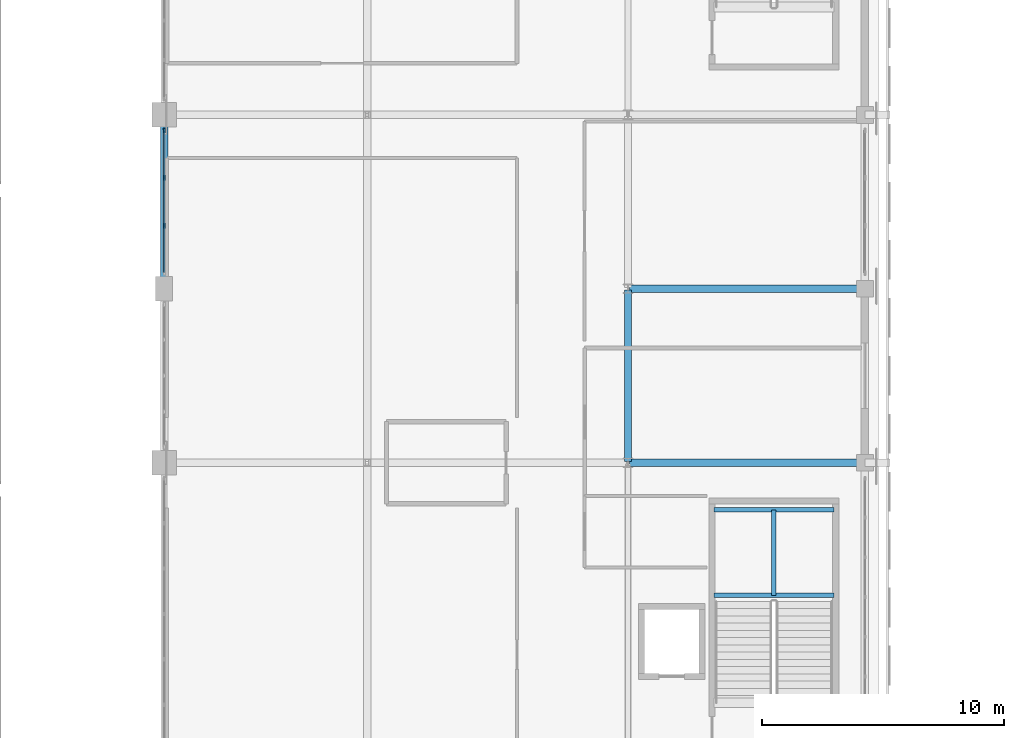
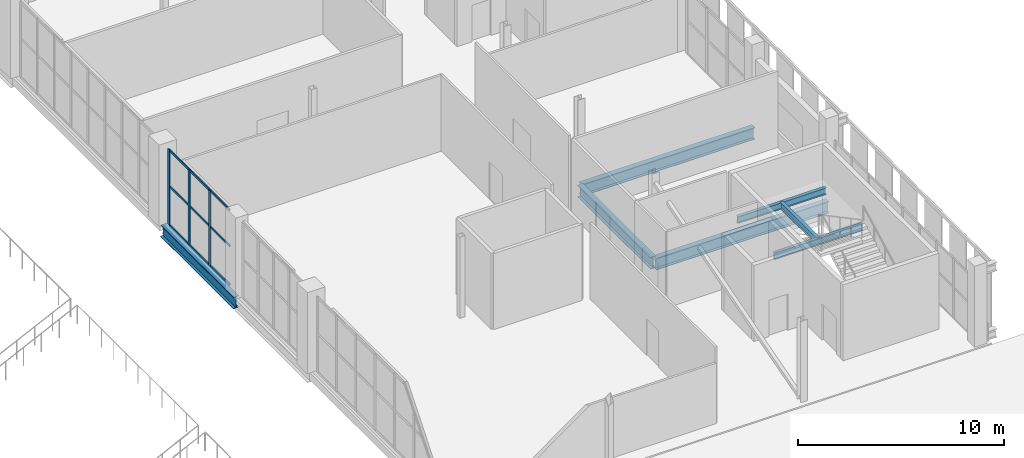
# One storey, part 36 of 104: 12 members, 7 beams, 1 element without a shape of its own.
"""IFC4 building model written with IfcOpenShell, lengths in metres."""

from ifc_helpers import new_model, si_unit, direction, frame, origin, origin_2d, place, context, subcontext, project, spatial, rectangle, i_section, extrude, material, material_profile, profile_set, type_object, element, aggregate, save


model = new_model("IFC4")

# Units and contexts
model_context = context("Model", 3, precision=1e-05, world=origin(), true_north=direction((0.0, 1.0)))
body_context = subcontext(model_context, "Body", "Model", "MODEL_VIEW")
ifc_project = project(units=[si_unit("LENGTHUNIT", "METRE"), si_unit("AREAUNIT", "SQUARE_METRE"), si_unit("VOLUMEUNIT", "CUBIC_METRE"), si_unit("PLANEANGLEUNIT", "RADIAN"), si_unit("MASSUNIT", "GRAM", prefix="KILO")], contexts=[model_context])

# Site, building, storey
site_placement = place(None, origin())
site = spatial("IfcSite", under=ifc_project, at=site_placement, CompositionType="ELEMENT")
building_placement = place(site_placement, origin())
building = spatial("IfcBuilding", under=site, at=building_placement, Name="Koshinbarg Plaza Stadium", CompositionType="ELEMENT")
storey_placement = place(building_placement, frame((0.0, 0.0, 19.800048828125)))
storey = spatial("IfcBuildingStorey", under=building, at=storey_placement, Name="L04", CompositionType="ELEMENT", Elevation=19.800048828125)

# Beams
ifc_material_1 = material(Name="Steel S355", Category="steel")
ifc_material_profile_1 = material_profile(ifc_material_1, i_section(OverallWidth=0.179931640625, OverallDepth=0.39990234375, WebThickness=0.008544921875, FlangeThickness=0.013427734375, at=origin_2d()), Name="IPE 400")
ifc_profile_set_1 = profile_set([ifc_material_profile_1], Name="Steel S355")
beam_type_1 = type_object("IfcBeamType", Name="BM-SBM-01", PredefinedType="BEAM", material=ifc_profile_set_1)
for number, where, z_axis, x_axis, name in (
    (1, (212.14990234375, 34.409912109375, 1.8798828125), (1.0, 0.0, 0.0), (0.0, 1.0, 0.0), "L04 Protected Exit Stair C07 landing trimmer beam 1"),
    (2, (212.14990234375, 37.949951171875, 1.8798828125), (1.0, 0.0, 0.0), (0.0, 1.0, 0.0), "L04 Protected Exit Stair C07 landing trimmer beam 2"),
):
    element("IfcBeam", number, at=place(storey_placement, frame(where, z_axis=z_axis, x_axis=x_axis)), inside=storey, type_object=beam_type_1, Name=name, PredefinedType="BEAM", context=body_context, shape_type="SweptSolid", body=[
        extrude(i_section(OverallWidth=0.179931640625, OverallDepth=0.39990234375, WebThickness=0.008544921875, FlangeThickness=0.013427734375, at=origin_2d()), origin(), (0.0, 0.0, 1.0), 4.97021484375),
    ])
beam_placement = place(storey_placement, frame((214.635009765625, 34.409912109375, 1.8798828125), z_axis=(0.0, 1.0, 0.0), x_axis=(-1.0, 0.0, 0.0)))
element("IfcBeam", 3, at=beam_placement, inside=storey, type_object=beam_type_1, Name="L04 Protected Exit Stair C07 landing trimmer beam 3", PredefinedType="BEAM", context=body_context, shape_type="SweptSolid", body=[
    extrude(i_section(OverallWidth=0.179931640625, OverallDepth=0.39990234375, WebThickness=0.008544921875, FlangeThickness=0.013427734375, at=origin_2d()), origin(), (0.0, 0.0, 1.0), 3.5400390625),
])
ifc_material_profile_2 = material_profile(ifc_material_1, i_section(OverallWidth=0.300048828125, OverallDepth=0.699951171875, WebThickness=0.01708984375, FlangeThickness=0.031982421875, at=origin_2d()), Name="HEB 700")
ifc_profile_set_2 = profile_set([ifc_material_profile_2], Name="Steel S355")
beam_type_2 = type_object("IfcBeamType", Name="BM-SGIR-03", PredefinedType="USERDEFINED", material=ifc_profile_set_2)
for number, where, z_axis, x_axis, name in (
    (4, (208.659912109375, 39.89990234375, -0.650146484375), (1.0, 0.0, 0.0), (0.0, 1.0, 0.0), "L04 X girder F/20-21"),
    (5, (208.659912109375, 47.10009765625, -0.650146484375), (1.0, 0.0, 0.0), (0.0, 1.0, 0.0), "L04 X girder G/20-21"),
):
    element("IfcBeam", number, at=place(storey_placement, frame(where, z_axis=z_axis, x_axis=x_axis)), inside=storey, type_object=beam_type_2, Name=name, ObjectType="GIRDER", PredefinedType="USERDEFINED", context=body_context, shape_type="SweptSolid", body=[
        extrude(i_section(OverallWidth=0.300048828125, OverallDepth=0.699951171875, WebThickness=0.01708984375, FlangeThickness=0.031982421875, at=origin_2d()), origin(), (0.0, 0.0, 1.0), 9.68017578125),
    ])
for number, where, z_axis, x_axis, name in (
    (6, (189.39990234375, 47.159912109375, -0.650146484375), (0.0, 1.0, 0.0), (-1.0, 0.0, 0.0), "L04 Y girder 18/G-H"),
    (7, (208.60009765625, 39.9599609375, -0.650146484375), (0.0, 1.0, 0.0), (-1.0, 0.0, 0.0), "L04 Y girder 20/F-G"),
):
    element("IfcBeam", number, at=place(storey_placement, frame(where, z_axis=z_axis, x_axis=x_axis)), inside=storey, type_object=beam_type_2, Name=name, ObjectType="GIRDER", PredefinedType="USERDEFINED", context=body_context, shape_type="SweptSolid", body=[
        extrude(i_section(OverallWidth=0.300048828125, OverallDepth=0.699951171875, WebThickness=0.01708984375, FlangeThickness=0.031982421875, at=origin_2d()), origin(), (0.0, 0.0, 1.0), 7.080078125),
    ])

# Curtain wall, members
ifc_material_2 = material(Name="Thermally broken anodised aluminium and low-E double glazing", Category="aluminium")
curtain_wall_type = type_object("IfcCurtainWallType", Name="CW-SYS-12", PredefinedType="NOTDEFINED", material=ifc_material_2)
curtain_wall_placement = place(storey_placement, origin())
curtain_wall = element("IfcCurtainWall", 8, at=curtain_wall_placement, inside=storey, type_object=curtain_wall_type, Name="L04 unitised curtain wall CW-L04-123", PredefinedType="NOTDEFINED")
ifc_material_3 = material(Name="Anodised aluminium mullion", Category="aluminium")
ifc_material_profile_3 = material_profile(ifc_material_3, rectangle(XDim=0.070068359375, YDim=0.199951171875, at=origin_2d()), Name="ALU 70x200")
ifc_profile_set_3 = profile_set([ifc_material_profile_3], Name="Anodised aluminium mullion")
member_type_1 = type_object("IfcMemberType", Name="CW-MUL-04", PredefinedType="MULLION", material=ifc_profile_set_3)
member_1_placement = place(storey_placement, frame((189.39990234375, 49.706787109375, 0.0), z_axis=(0.0, 0.0, 1.0), x_axis=(-1.0, 0.0, 0.0)))
member_1 = element("IfcMember", 9, at=member_1_placement, type_object=member_type_1, Name="CW12 mullion 2", PredefinedType="MULLION", context=body_context, shape_type="SweptSolid", body=[
    extrude(rectangle(XDim=0.070068359375, YDim=0.199951171875, at=origin_2d()), origin(), (0.0, 0.0, 1.0), 4.47998046875),
])
member_2_placement = place(storey_placement, frame((189.39990234375, 51.693359375, 0.0), z_axis=(0.0, 0.0, 1.0), x_axis=(-1.0, 0.0, 0.0)))
member_2 = element("IfcMember", 10, at=member_2_placement, type_object=member_type_1, Name="CW12 mullion 3", PredefinedType="MULLION", context=body_context, shape_type="SweptSolid", body=[
    extrude(rectangle(XDim=0.070068359375, YDim=0.199951171875, at=origin_2d()), origin(), (0.0, 0.0, 1.0), 4.47998046875),
])
member_3_placement = place(storey_placement, frame((189.39990234375, 53.64990234375, 0.0), z_axis=(0.0, 0.0, 1.0), x_axis=(-1.0, 0.0, 0.0)))
member_3 = element("IfcMember", 11, at=member_3_placement, type_object=member_type_1, Name="CW12 mullion 4", PredefinedType="MULLION", context=body_context, shape_type="SweptSolid", body=[
    extrude(rectangle(XDim=0.070068359375, YDim=0.199951171875, at=origin_2d()), origin(), (0.0, 0.0, 1.0), 4.47998046875),
])
ifc_material_4 = material(Name="Anodised aluminium transom", Category="aluminium")
ifc_material_profile_4 = material_profile(ifc_material_4, rectangle(XDim=0.06005859375, YDim=0.1298828125, at=origin_2d()), Name="ALU 60x130")
ifc_profile_set_4 = profile_set([ifc_material_profile_4], Name="Anodised aluminium transom")
member_type_2 = type_object("IfcMemberType", Name="CW-TRN-02", PredefinedType="USERDEFINED", material=ifc_profile_set_4)
member_4_placement = place(storey_placement, frame((189.39990234375, 47.780029296875, 0.030029296875), z_axis=(0.0, 1.0, 0.0), x_axis=(-1.0, 0.0, 0.0)))
member_4 = element("IfcMember", 12, at=member_4_placement, type_object=member_type_2, Name="CW12 transom 1.1", ObjectType="TRANSOM", PredefinedType="USERDEFINED", context=body_context, shape_type="SweptSolid", body=[
    extrude(rectangle(XDim=0.06005859375, YDim=0.1298828125, at=origin_2d()), origin(), (0.0, 0.0, 1.0), 1.896728515625),
])
member_5_placement = place(storey_placement, frame((189.39990234375, 47.780029296875, 2.32958984375), z_axis=(0.0, 1.0, 0.0), x_axis=(-1.0, 0.0, 0.0)))
member_5 = element("IfcMember", 13, at=member_5_placement, type_object=member_type_2, Name="CW12 transom 1.2", ObjectType="TRANSOM", PredefinedType="USERDEFINED", context=body_context, shape_type="SweptSolid", body=[
    extrude(rectangle(XDim=0.06005859375, YDim=0.1298828125, at=origin_2d()), origin(), (0.0, 0.0, 1.0), 1.896728515625),
])
member_6_placement = place(storey_placement, frame((189.39990234375, 47.780029296875, 4.449951171875), z_axis=(0.0, 1.0, 0.0), x_axis=(-1.0, 0.0, 0.0)))
member_6 = element("IfcMember", 14, at=member_6_placement, type_object=member_type_2, Name="CW12 transom 1.3", ObjectType="TRANSOM", PredefinedType="USERDEFINED", context=body_context, shape_type="SweptSolid", body=[
    extrude(rectangle(XDim=0.06005859375, YDim=0.1298828125, at=origin_2d()), origin(), (0.0, 0.0, 1.0), 1.896728515625),
])
member_7_placement = place(storey_placement, frame((189.39990234375, 49.736572265625, 0.030029296875), z_axis=(0.0, 1.0, 0.0), x_axis=(-1.0, 0.0, 0.0)))
member_7 = element("IfcMember", 15, at=member_7_placement, type_object=member_type_2, Name="CW12 transom 2.1", ObjectType="TRANSOM", PredefinedType="USERDEFINED", context=body_context, shape_type="SweptSolid", body=[
    extrude(rectangle(XDim=0.06005859375, YDim=0.1298828125, at=origin_2d()), origin(), (0.0, 0.0, 1.0), 1.9267578125),
])
member_8_placement = place(storey_placement, frame((189.39990234375, 49.736572265625, 2.32958984375), z_axis=(0.0, 1.0, 0.0), x_axis=(-1.0, 0.0, 0.0)))
member_8 = element("IfcMember", 16, at=member_8_placement, type_object=member_type_2, Name="CW12 transom 2.2", ObjectType="TRANSOM", PredefinedType="USERDEFINED", context=body_context, shape_type="SweptSolid", body=[
    extrude(rectangle(XDim=0.06005859375, YDim=0.1298828125, at=origin_2d()), origin(), (0.0, 0.0, 1.0), 1.9267578125),
])
member_9_placement = place(storey_placement, frame((189.39990234375, 49.736572265625, 4.449951171875), z_axis=(0.0, 1.0, 0.0), x_axis=(-1.0, 0.0, 0.0)))
member_9 = element("IfcMember", 17, at=member_9_placement, type_object=member_type_2, Name="CW12 transom 2.3", ObjectType="TRANSOM", PredefinedType="USERDEFINED", context=body_context, shape_type="SweptSolid", body=[
    extrude(rectangle(XDim=0.06005859375, YDim=0.1298828125, at=origin_2d()), origin(), (0.0, 0.0, 1.0), 1.9267578125),
])
member_10_placement = place(storey_placement, frame((189.39990234375, 51.723388671875, 0.030029296875), z_axis=(0.0, 1.0, 0.0), x_axis=(-1.0, 0.0, 0.0)))
member_10 = element("IfcMember", 18, at=member_10_placement, type_object=member_type_2, Name="CW12 transom 3.1", ObjectType="TRANSOM", PredefinedType="USERDEFINED", context=body_context, shape_type="SweptSolid", body=[
    extrude(rectangle(XDim=0.06005859375, YDim=0.1298828125, at=origin_2d()), origin(), (0.0, 0.0, 1.0), 1.896728515625),
])
member_11_placement = place(storey_placement, frame((189.39990234375, 51.723388671875, 2.32958984375), z_axis=(0.0, 1.0, 0.0), x_axis=(-1.0, 0.0, 0.0)))
member_11 = element("IfcMember", 19, at=member_11_placement, type_object=member_type_2, Name="CW12 transom 3.2", ObjectType="TRANSOM", PredefinedType="USERDEFINED", context=body_context, shape_type="SweptSolid", body=[
    extrude(rectangle(XDim=0.06005859375, YDim=0.1298828125, at=origin_2d()), origin(), (0.0, 0.0, 1.0), 1.896728515625),
])
member_12_placement = place(storey_placement, frame((189.39990234375, 51.723388671875, 4.449951171875), z_axis=(0.0, 1.0, 0.0), x_axis=(-1.0, 0.0, 0.0)))
member_12 = element("IfcMember", 20, at=member_12_placement, type_object=member_type_2, Name="CW12 transom 3.3", ObjectType="TRANSOM", PredefinedType="USERDEFINED", context=body_context, shape_type="SweptSolid", body=[
    extrude(rectangle(XDim=0.06005859375, YDim=0.1298828125, at=origin_2d()), origin(), (0.0, 0.0, 1.0), 1.896728515625),
])
aggregate(curtain_wall, [member_1, member_2, member_3, member_4, member_5, member_6, member_7, member_8, member_9, member_10, member_11, member_12])

save(model, "model.ifc")
